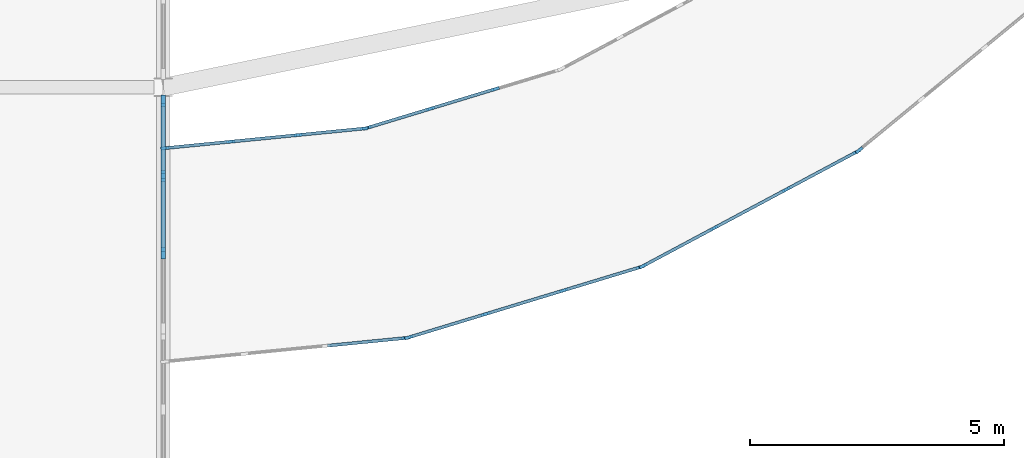
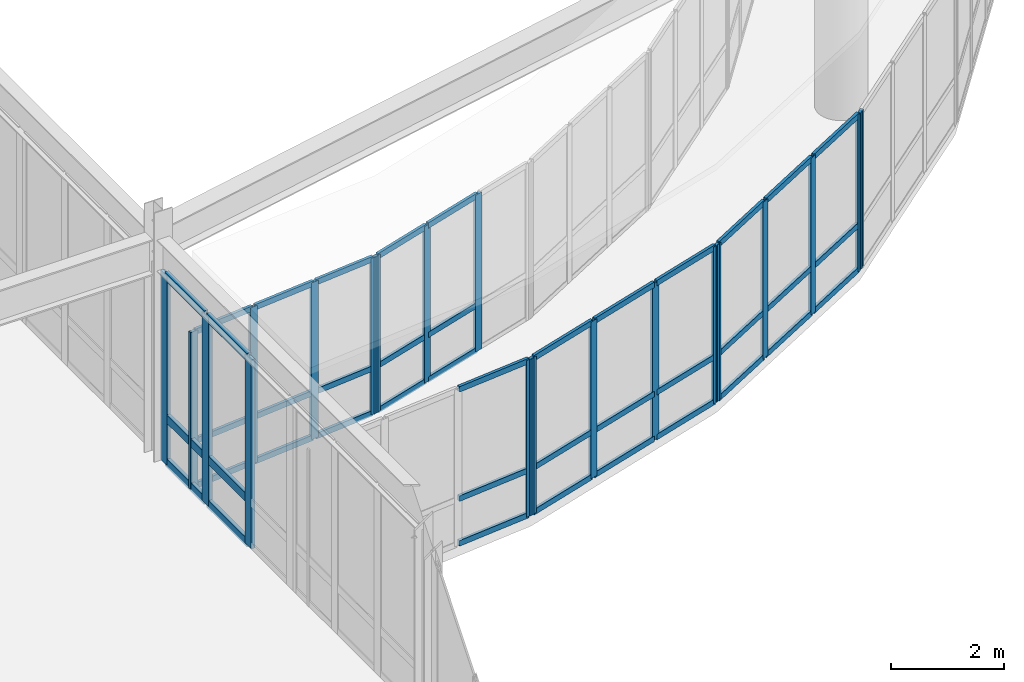
# One storey, part 17 of 68: 62 members, 7 elements without a shape of their own.
"""IFC4 building model written with IfcOpenShell, lengths in metres."""

from ifc_helpers import new_model, si_unit, direction, frame, origin, origin_2d, place, context, subcontext, project, spatial, rectangle, extrude, material, material_profile, profile_set, type_object, element, aggregate, save


model = new_model("IFC4")

# Units and contexts
model_context = context("Model", 3, precision=1e-05, world=origin(), true_north=direction((0.0, 1.0)))
body_context = subcontext(model_context, "Body", "Model", "MODEL_VIEW")
ifc_project = project(units=[si_unit("LENGTHUNIT", "METRE"), si_unit("AREAUNIT", "SQUARE_METRE"), si_unit("VOLUMEUNIT", "CUBIC_METRE"), si_unit("PLANEANGLEUNIT", "RADIAN"), si_unit("MASSUNIT", "GRAM", prefix="KILO")], contexts=[model_context])

# Site, building, storey
site_placement = place(None, origin())
site = spatial("IfcSite", under=ifc_project, at=site_placement, CompositionType="ELEMENT")
building_placement = place(site_placement, origin())
building = spatial("IfcBuilding", under=site, at=building_placement, Name="Veldera Park Congress Hotel", CompositionType="ELEMENT")
storey_placement = place(building_placement, frame((0.0, 0.0, 10.800048828125)))
storey = spatial("IfcBuildingStorey", under=building, at=storey_placement, Name="L02", CompositionType="ELEMENT", Elevation=10.800048828125)

# Curtain wall, member
ifc_material_1 = material(Name="Low-E Triple Insulating Glass Unit (SHGC 0.22)", Category="glass")
curtain_wall_type_1 = type_object("IfcCurtainWallType", Name="CW-BRG", PredefinedType="NOTDEFINED", material=ifc_material_1)
curtain_wall_1_placement = place(storey_placement, origin())
curtain_wall_1 = element("IfcCurtainWall", 1, at=curtain_wall_1_placement, inside=storey, type_object=curtain_wall_type_1, Name="L02 Curtain Wall CW3-BRGW-L02-A00", PredefinedType="NOTDEFINED")
ifc_material_2 = material(Name="Anodised Aluminium Alloy 6063-T6", Category="aluminium")
ifc_material_profile_1 = material_profile(ifc_material_2, rectangle(XDim=0.06005859375, YDim=0.159912109375, at=origin_2d()), Name="ALU 60x160")
ifc_profile_set_1 = profile_set([ifc_material_profile_1], Name="Anodised Aluminium Alloy 6063-T6")
member_type_1 = type_object("IfcMemberType", Name="CWM-160", PredefinedType="MULLION", material=ifc_profile_set_1)
member_1_placement = place(storey_placement, frame((3.16943359375, -6.730224609375, 0.0), z_axis=(0.0, 0.0, 1.0), x_axis=(-0.098021259481, 0.995184320963, 0.0)))
member_1 = element("IfcMember", 2, at=member_1_placement, type_object=member_type_1, Name="CW-BRG mullion 4", PredefinedType="MULLION", context=body_context, shape_type="SweptSolid", body=[
    extrude(rectangle(XDim=0.06005859375, YDim=0.159912109375, at=origin_2d()), origin(), (0.0, 0.0, 1.0), 3.39990234375),
])

# Curtain wall, members
curtain_wall_2_placement = place(storey_placement, origin())
curtain_wall_2 = element("IfcCurtainWall", 3, at=curtain_wall_2_placement, inside=storey, type_object=curtain_wall_type_1, Name="L02 Curtain Wall CW3-BRGW-L02-A01", PredefinedType="NOTDEFINED")
member_2_placement = place(storey_placement, frame((3.22802734375, -6.718505859375, 0.0), z_axis=(0.0, 0.0, 1.0), x_axis=(-0.290287663177, 0.956939429957, 0.0)))
member_2 = element("IfcMember", 4, at=member_2_placement, type_object=member_type_1, Name="CW-BRG mullion 1", PredefinedType="MULLION", context=body_context, shape_type="SweptSolid", body=[
    extrude(rectangle(XDim=0.06005859375, YDim=0.159912109375, at=origin_2d()), origin(), (0.0, 0.0, 1.0), 3.39990234375),
])
member_3_placement = place(storey_placement, frame((4.737548828125, -6.2607421875, 0.0), z_axis=(0.0, 0.0, 1.0), x_axis=(-0.290287663177, 0.956939429957, 0.0)))
member_3 = element("IfcMember", 5, at=member_3_placement, type_object=member_type_1, Name="CW-BRG mullion 2", PredefinedType="MULLION", context=body_context, shape_type="SweptSolid", body=[
    extrude(rectangle(XDim=0.06005859375, YDim=0.159912109375, at=origin_2d()), origin(), (0.0, 0.0, 1.0), 3.39990234375),
])
member_4_placement = place(storey_placement, frame((6.275634765625, -5.7939453125, 0.0), z_axis=(0.0, 0.0, 1.0), x_axis=(-0.290287663177, 0.956939429957, 0.0)))
member_4 = element("IfcMember", 6, at=member_4_placement, type_object=member_type_1, Name="CW-BRG mullion 3", PredefinedType="MULLION", context=body_context, shape_type="SweptSolid", body=[
    extrude(rectangle(XDim=0.06005859375, YDim=0.159912109375, at=origin_2d()), origin(), (0.0, 0.0, 1.0), 3.39990234375),
])
member_5_placement = place(storey_placement, frame((7.785400390625, -5.336181640625, 0.0), z_axis=(0.0, 0.0, 1.0), x_axis=(-0.290287663177, 0.956939429957, 0.0)))
member_5 = element("IfcMember", 7, at=member_5_placement, type_object=member_type_1, Name="CW-BRG mullion 4", PredefinedType="MULLION", context=body_context, shape_type="SweptSolid", body=[
    extrude(rectangle(XDim=0.06005859375, YDim=0.159912109375, at=origin_2d()), origin(), (0.0, 0.0, 1.0), 3.39990234375),
])

curtain_wall_3_placement = place(storey_placement, origin())
curtain_wall_3 = element("IfcCurtainWall", 8, at=curtain_wall_3_placement, inside=storey, type_object=curtain_wall_type_1, Name="L02 Curtain Wall CW3-BRGW-L02-A02", PredefinedType="NOTDEFINED")
member_6_placement = place(storey_placement, frame((7.840576171875, -5.313232421875, 0.0), z_axis=(0.0, 0.0, 1.0), x_axis=(-0.471384501415, 0.881927804203, 0.0)))
member_6 = element("IfcMember", 9, at=member_6_placement, type_object=member_type_1, Name="CW-BRG mullion 1", PredefinedType="MULLION", context=body_context, shape_type="SweptSolid", body=[
    extrude(rectangle(XDim=0.06005859375, YDim=0.159912109375, at=origin_2d()), origin(), (0.0, 0.0, 1.0), 3.39990234375),
])
member_7_placement = place(storey_placement, frame((9.231689453125, -4.569580078125, 0.0), z_axis=(0.0, 0.0, 1.0), x_axis=(-0.471384501415, 0.881927804203, 0.0)))
member_7 = element("IfcMember", 10, at=member_7_placement, type_object=member_type_1, Name="CW-BRG mullion 2", PredefinedType="MULLION", context=body_context, shape_type="SweptSolid", body=[
    extrude(rectangle(XDim=0.06005859375, YDim=0.159912109375, at=origin_2d()), origin(), (0.0, 0.0, 1.0), 3.39990234375),
])
member_8_placement = place(storey_placement, frame((10.6494140625, -3.81201171875, 0.0), z_axis=(0.0, 0.0, 1.0), x_axis=(-0.471384501415, 0.881927804203, 0.0)))
member_8 = element("IfcMember", 11, at=member_8_placement, type_object=member_type_1, Name="CW-BRG mullion 3", PredefinedType="MULLION", context=body_context, shape_type="SweptSolid", body=[
    extrude(rectangle(XDim=0.06005859375, YDim=0.159912109375, at=origin_2d()), origin(), (0.0, 0.0, 1.0), 3.39990234375),
])
member_9_placement = place(storey_placement, frame((12.04052734375, -3.068359375, 0.0), z_axis=(0.0, 0.0, 1.0), x_axis=(-0.471384501415, 0.881927804203, 0.0)))
member_9 = element("IfcMember", 12, at=member_9_placement, type_object=member_type_1, Name="CW-BRG mullion 4", PredefinedType="MULLION", context=body_context, shape_type="SweptSolid", body=[
    extrude(rectangle(XDim=0.06005859375, YDim=0.159912109375, at=origin_2d()), origin(), (0.0, 0.0, 1.0), 3.39990234375),
])

# Curtain wall, member
curtain_wall_4_placement = place(storey_placement, origin())
curtain_wall_4 = element("IfcCurtainWall", 13, at=curtain_wall_4_placement, inside=storey, type_object=curtain_wall_type_1, Name="L02 Curtain Wall CW3-BRGW-L02-A03", PredefinedType="NOTDEFINED")
member_10_placement = place(storey_placement, frame((12.090087890625, -3.03515625, 0.0), z_axis=(0.0, 0.0, 1.0), x_axis=(-0.634402404183, 0.773002968666, 0.0)))
member_10 = element("IfcMember", 14, at=member_10_placement, type_object=member_type_1, Name="CW-BRG mullion 1", PredefinedType="MULLION", context=body_context, shape_type="SweptSolid", body=[
    extrude(rectangle(XDim=0.06005859375, YDim=0.159912109375, at=origin_2d()), origin(), (0.0, 0.0, 1.0), 3.39990234375),
])
aggregate(curtain_wall_4, [member_10])

# Curtain wall, members
curtain_wall_5_placement = place(storey_placement, origin())
curtain_wall_5 = element("IfcCurtainWall", 15, at=curtain_wall_5_placement, inside=storey, type_object=curtain_wall_type_1, Name="L02 Curtain Wall CW3-BRGW-L02-B15", PredefinedType="NOTDEFINED")
member_11_placement = place(storey_placement, frame((4.93115234375, -1.833984375, 0.0), z_axis=(0.0, 0.0, 1.0), x_axis=(0.290289846929, -0.956938767513, 0.0)))
member_11 = element("IfcMember", 16, at=member_11_placement, type_object=member_type_1, Name="CW-BRG mullion 2", PredefinedType="MULLION", context=body_context, shape_type="SweptSolid", body=[
    extrude(rectangle(XDim=0.06005859375, YDim=0.159912109375, at=origin_2d()), origin(), (0.0, 0.0, 1.0), 3.39990234375),
])
member_12_placement = place(storey_placement, frame((3.655517578125, -2.220947265625, 0.0), z_axis=(0.0, 0.0, 1.0), x_axis=(0.290289846929, -0.956938767513, 0.0)))
member_12 = element("IfcMember", 17, at=member_12_placement, type_object=member_type_1, Name="CW-BRG mullion 3", PredefinedType="MULLION", context=body_context, shape_type="SweptSolid", body=[
    extrude(rectangle(XDim=0.06005859375, YDim=0.159912109375, at=origin_2d()), origin(), (0.0, 0.0, 1.0), 3.39990234375),
])
member_13_placement = place(storey_placement, frame((2.408447265625, -2.599365234375, 0.0), z_axis=(0.0, 0.0, 1.0), x_axis=(0.290289846929, -0.956938767513, 0.0)))
member_13 = element("IfcMember", 18, at=member_13_placement, type_object=member_type_1, Name="CW-BRG mullion 4", PredefinedType="MULLION", context=body_context, shape_type="SweptSolid", body=[
    extrude(rectangle(XDim=0.06005859375, YDim=0.159912109375, at=origin_2d()), origin(), (0.0, 0.0, 1.0), 3.39990234375),
])

curtain_wall_6_placement = place(storey_placement, origin())
curtain_wall_6 = element("IfcCurtainWall", 19, at=curtain_wall_6_placement, inside=storey, type_object=curtain_wall_type_1, Name="L02 Curtain Wall CW3-BRGW-L02-B16", PredefinedType="NOTDEFINED")
member_14_placement = place(storey_placement, frame((2.349853515625, -2.61083984375, 0.0), z_axis=(0.0, 0.0, 1.0), x_axis=(0.098023062513, -0.99518414337, 0.0)))
member_14 = element("IfcMember", 20, at=member_14_placement, type_object=member_type_1, Name="CW-BRG mullion 1", PredefinedType="MULLION", context=body_context, shape_type="SweptSolid", body=[
    extrude(rectangle(XDim=0.06005859375, YDim=0.159912109375, at=origin_2d()), origin(), (0.0, 0.0, 1.0), 3.39990234375),
])
member_15_placement = place(storey_placement, frame((1.05322265625, -2.73876953125, 0.0), z_axis=(0.0, 0.0, 1.0), x_axis=(0.098023062513, -0.99518414337, 0.0)))
member_15 = element("IfcMember", 21, at=member_15_placement, type_object=member_type_1, Name="CW-BRG mullion 2", PredefinedType="MULLION", context=body_context, shape_type="SweptSolid", body=[
    extrude(rectangle(XDim=0.06005859375, YDim=0.159912109375, at=origin_2d()), origin(), (0.0, 0.0, 1.0), 3.39990234375),
])
member_16_placement = place(storey_placement, frame((-0.2734375, -2.869384765625, 0.0), z_axis=(0.0, 0.0, 1.0), x_axis=(0.098023062513, -0.99518414337, 0.0)))
member_16 = element("IfcMember", 22, at=member_16_placement, type_object=member_type_1, Name="CW-BRG mullion 3", PredefinedType="MULLION", context=body_context, shape_type="SweptSolid", body=[
    extrude(rectangle(XDim=0.06005859375, YDim=0.159912109375, at=origin_2d()), origin(), (0.0, 0.0, 1.0), 3.39990234375),
])
member_17_placement = place(storey_placement, frame((-1.570068359375, -2.9970703125, 0.0), z_axis=(0.0, 0.0, 1.0), x_axis=(0.098023062513, -0.99518414337, 0.0)))
member_17 = element("IfcMember", 23, at=member_17_placement, type_object=member_type_1, Name="CW-BRG mullion 4", PredefinedType="MULLION", context=body_context, shape_type="SweptSolid", body=[
    extrude(rectangle(XDim=0.06005859375, YDim=0.159912109375, at=origin_2d()), origin(), (0.0, 0.0, 1.0), 3.39990234375),
])

curtain_wall_type_2 = type_object("IfcCurtainWallType", Name="CW-POD", PredefinedType="NOTDEFINED", material=ifc_material_1)
curtain_wall_7_placement = place(storey_placement, origin())
curtain_wall_7 = element("IfcCurtainWall", 24, at=curtain_wall_7_placement, inside=storey, type_object=curtain_wall_type_2, Name="L02 Curtain Wall CW3-V1E-L02-068", PredefinedType="NOTDEFINED")
ifc_material_profile_2 = material_profile(ifc_material_2, rectangle(XDim=0.080078125, YDim=0.219970703125, at=origin_2d()), Name="ALU 80x220")
ifc_profile_set_2 = profile_set([ifc_material_profile_2], Name="Anodised Aluminium Alloy 6063-T6")
member_type_2 = type_object("IfcMemberType", Name="CWM-220", PredefinedType="MULLION", material=ifc_profile_set_2)
member_18_placement = place(storey_placement, frame((-1.60009765625, -5.064697265625, 0.0), z_axis=(0.0, 0.0, 1.0), x_axis=(-1.0, 0.0, 0.0)))
member_18 = element("IfcMember", 25, at=member_18_placement, type_object=member_type_2, Name="CW-POD mullion 2", PredefinedType="MULLION", context=body_context, shape_type="SweptSolid", body=[
    extrude(rectangle(XDim=0.080078125, YDim=0.219970703125, at=origin_2d()), origin(), (0.0, 0.0, 1.0), 4.10205078125),
])
member_19_placement = place(storey_placement, frame((-1.60009765625, -3.54443359375, 0.0), z_axis=(0.0, 0.0, 1.0), x_axis=(-1.0, 0.0, 0.0)))
member_19 = element("IfcMember", 26, at=member_19_placement, type_object=member_type_2, Name="CW-POD mullion 3", PredefinedType="MULLION", context=body_context, shape_type="SweptSolid", body=[
    extrude(rectangle(XDim=0.080078125, YDim=0.219970703125, at=origin_2d()), origin(), (0.0, 0.0, 1.0), 4.10205078125),
])
member_20_placement = place(storey_placement, frame((-1.60009765625, -2.06396484375, 0.0), z_axis=(0.0, 0.0, 1.0), x_axis=(-1.0, 0.0, 0.0)))
member_20 = element("IfcMember", 27, at=member_20_placement, type_object=member_type_2, Name="CW-POD mullion 4", PredefinedType="MULLION", context=body_context, shape_type="SweptSolid", body=[
    extrude(rectangle(XDim=0.080078125, YDim=0.219970703125, at=origin_2d()), origin(), (0.0, 0.0, 1.0), 4.10205078125),
])

# Member
ifc_material_profile_3 = material_profile(ifc_material_2, rectangle(XDim=0.06005859375, YDim=0.1201171875, at=origin_2d()), Name="ALU 60x120")
ifc_profile_set_3 = profile_set([ifc_material_profile_3], Name="Anodised Aluminium Alloy 6063-T6")
member_type_3 = type_object("IfcMemberType", Name="CWT-120", PredefinedType="USERDEFINED", material=ifc_profile_set_3)
member_21_placement = place(storey_placement, frame((1.62939453125, -6.8818359375, 0.030029296875), z_axis=(0.995187383996, 0.097990156322, 0.0), x_axis=(-0.097990156322, 0.995187383996, 0.0)))
member_21 = element("IfcMember", 28, at=member_21_placement, type_object=member_type_3, Name="CW-BRG transom 3.1", ObjectType="TRANSOM", PredefinedType="USERDEFINED", context=body_context, shape_type="SweptSolid", body=[
    extrude(rectangle(XDim=0.06005859375, YDim=0.1201171875, at=origin_2d()), origin(), (0.0, 0.0, 1.0), 1.517333984375),
])

member_22_placement = place(storey_placement, frame((1.62939453125, -6.8818359375, 1.0), z_axis=(0.995187383996, 0.097990156322, 0.0), x_axis=(-0.097990156322, 0.995187383996, 0.0)))
member_22 = element("IfcMember", 29, at=member_22_placement, type_object=member_type_3, Name="CW-BRG transom 3.2", ObjectType="TRANSOM", PredefinedType="USERDEFINED", context=body_context, shape_type="SweptSolid", body=[
    extrude(rectangle(XDim=0.06005859375, YDim=0.1201171875, at=origin_2d()), origin(), (0.0, 0.0, 1.0), 1.517333984375),
])

member_23_placement = place(storey_placement, frame((1.62939453125, -6.8818359375, 3.369873046875), z_axis=(0.995187383996, 0.097990156322, 0.0), x_axis=(-0.097990156322, 0.995187383996, 0.0)))
member_23 = element("IfcMember", 30, at=member_23_placement, type_object=member_type_3, Name="CW-BRG transom 3.3", ObjectType="TRANSOM", PredefinedType="USERDEFINED", context=body_context, shape_type="SweptSolid", body=[
    extrude(rectangle(XDim=0.06005859375, YDim=0.1201171875, at=origin_2d()), origin(), (0.0, 0.0, 1.0), 1.517333984375),
])

aggregate(curtain_wall_1, [member_1, member_21, member_22, member_23])

member_24_placement = place(storey_placement, frame((3.256591796875, -6.7099609375, 0.030029296875), z_axis=(0.956909318834, 0.290386906607, 0.0), x_axis=(-0.290386906607, 0.956909318834, 0.0)))
member_24 = element("IfcMember", 31, at=member_24_placement, type_object=member_type_3, Name="CW-BRG transom 1.1", ObjectType="TRANSOM", PredefinedType="USERDEFINED", context=body_context, shape_type="SweptSolid", body=[
    extrude(rectangle(XDim=0.06005859375, YDim=0.1201171875, at=origin_2d()), origin(), (0.0, 0.0, 1.0), 1.517578125),
])

member_25_placement = place(storey_placement, frame((3.256591796875, -6.7099609375, 1.0), z_axis=(0.956909318834, 0.290386906607, 0.0), x_axis=(-0.290386906607, 0.956909318834, 0.0)))
member_25 = element("IfcMember", 32, at=member_25_placement, type_object=member_type_3, Name="CW-BRG transom 1.2", ObjectType="TRANSOM", PredefinedType="USERDEFINED", context=body_context, shape_type="SweptSolid", body=[
    extrude(rectangle(XDim=0.06005859375, YDim=0.1201171875, at=origin_2d()), origin(), (0.0, 0.0, 1.0), 1.517578125),
])

member_26_placement = place(storey_placement, frame((3.256591796875, -6.7099609375, 3.369873046875), z_axis=(0.956909318834, 0.290386906607, 0.0), x_axis=(-0.290386906607, 0.956909318834, 0.0)))
member_26 = element("IfcMember", 33, at=member_26_placement, type_object=member_type_3, Name="CW-BRG transom 1.3", ObjectType="TRANSOM", PredefinedType="USERDEFINED", context=body_context, shape_type="SweptSolid", body=[
    extrude(rectangle(XDim=0.06005859375, YDim=0.1201171875, at=origin_2d()), origin(), (0.0, 0.0, 1.0), 1.517578125),
])

member_27_placement = place(storey_placement, frame((4.76611328125, -6.251953125, 0.030029296875), z_axis=(0.9569447609, 0.29027008903, 0.0), x_axis=(-0.29027008903, 0.9569447609, 0.0)))
member_27 = element("IfcMember", 34, at=member_27_placement, type_object=member_type_3, Name="CW-BRG transom 2.1", ObjectType="TRANSOM", PredefinedType="USERDEFINED", context=body_context, shape_type="SweptSolid", body=[
    extrude(rectangle(XDim=0.06005859375, YDim=0.1201171875, at=origin_2d()), origin(), (0.0, 0.0, 1.0), 1.547607421875),
])

member_28_placement = place(storey_placement, frame((4.76611328125, -6.251953125, 1.0), z_axis=(0.9569447609, 0.29027008903, 0.0), x_axis=(-0.29027008903, 0.9569447609, 0.0)))
member_28 = element("IfcMember", 35, at=member_28_placement, type_object=member_type_3, Name="CW-BRG transom 2.2", ObjectType="TRANSOM", PredefinedType="USERDEFINED", context=body_context, shape_type="SweptSolid", body=[
    extrude(rectangle(XDim=0.06005859375, YDim=0.1201171875, at=origin_2d()), origin(), (0.0, 0.0, 1.0), 1.547607421875),
])

member_29_placement = place(storey_placement, frame((4.76611328125, -6.251953125, 3.369873046875), z_axis=(0.9569447609, 0.29027008903, 0.0), x_axis=(-0.29027008903, 0.9569447609, 0.0)))
member_29 = element("IfcMember", 36, at=member_29_placement, type_object=member_type_3, Name="CW-BRG transom 2.3", ObjectType="TRANSOM", PredefinedType="USERDEFINED", context=body_context, shape_type="SweptSolid", body=[
    extrude(rectangle(XDim=0.06005859375, YDim=0.1201171875, at=origin_2d()), origin(), (0.0, 0.0, 1.0), 1.547607421875),
])

member_30_placement = place(storey_placement, frame((6.304443359375, -5.785400390625, 0.030029296875), z_axis=(0.956909318834, 0.290386906607, 0.0), x_axis=(-0.290386906607, 0.956909318834, 0.0)))
member_30 = element("IfcMember", 37, at=member_30_placement, type_object=member_type_3, Name="CW-BRG transom 3.1", ObjectType="TRANSOM", PredefinedType="USERDEFINED", context=body_context, shape_type="SweptSolid", body=[
    extrude(rectangle(XDim=0.06005859375, YDim=0.1201171875, at=origin_2d()), origin(), (0.0, 0.0, 1.0), 1.517578125),
])

member_31_placement = place(storey_placement, frame((6.304443359375, -5.785400390625, 1.0), z_axis=(0.956909318834, 0.290386906607, 0.0), x_axis=(-0.290386906607, 0.956909318834, 0.0)))
member_31 = element("IfcMember", 38, at=member_31_placement, type_object=member_type_3, Name="CW-BRG transom 3.2", ObjectType="TRANSOM", PredefinedType="USERDEFINED", context=body_context, shape_type="SweptSolid", body=[
    extrude(rectangle(XDim=0.06005859375, YDim=0.1201171875, at=origin_2d()), origin(), (0.0, 0.0, 1.0), 1.517578125),
])

member_32_placement = place(storey_placement, frame((6.304443359375, -5.785400390625, 3.369873046875), z_axis=(0.956909318834, 0.290386906607, 0.0), x_axis=(-0.290386906607, 0.956909318834, 0.0)))
member_32 = element("IfcMember", 39, at=member_32_placement, type_object=member_type_3, Name="CW-BRG transom 3.3", ObjectType="TRANSOM", PredefinedType="USERDEFINED", context=body_context, shape_type="SweptSolid", body=[
    extrude(rectangle(XDim=0.06005859375, YDim=0.1201171875, at=origin_2d()), origin(), (0.0, 0.0, 1.0), 1.517578125),
])

aggregate(curtain_wall_2, [member_2, member_3, member_4, member_5, member_24, member_25, member_26, member_27, member_28, member_29, member_30, member_31, member_32])

member_33_placement = place(storey_placement, frame((7.866943359375, -5.299072265625, 0.030029296875), z_axis=(0.881933974892, 0.4713729563, 0.0), x_axis=(-0.4713729563, 0.881933974892, 0.0)))
member_33 = element("IfcMember", 40, at=member_33_placement, type_object=member_type_3, Name="CW-BRG transom 1.1", ObjectType="TRANSOM", PredefinedType="USERDEFINED", context=body_context, shape_type="SweptSolid", body=[
    extrude(rectangle(XDim=0.06005859375, YDim=0.1201171875, at=origin_2d()), origin(), (0.0, 0.0, 1.0), 1.517578125),
])

member_34_placement = place(storey_placement, frame((7.866943359375, -5.299072265625, 1.0), z_axis=(0.881933974892, 0.4713729563, 0.0), x_axis=(-0.4713729563, 0.881933974892, 0.0)))
member_34 = element("IfcMember", 41, at=member_34_placement, type_object=member_type_3, Name="CW-BRG transom 1.2", ObjectType="TRANSOM", PredefinedType="USERDEFINED", context=body_context, shape_type="SweptSolid", body=[
    extrude(rectangle(XDim=0.06005859375, YDim=0.1201171875, at=origin_2d()), origin(), (0.0, 0.0, 1.0), 1.517578125),
])

member_35_placement = place(storey_placement, frame((7.866943359375, -5.299072265625, 3.369873046875), z_axis=(0.881933974892, 0.4713729563, 0.0), x_axis=(-0.4713729563, 0.881933974892, 0.0)))
member_35 = element("IfcMember", 42, at=member_35_placement, type_object=member_type_3, Name="CW-BRG transom 1.3", ObjectType="TRANSOM", PredefinedType="USERDEFINED", context=body_context, shape_type="SweptSolid", body=[
    extrude(rectangle(XDim=0.06005859375, YDim=0.1201171875, at=origin_2d()), origin(), (0.0, 0.0, 1.0), 1.517578125),
])

member_36_placement = place(storey_placement, frame((9.258056640625, -4.555419921875, 0.030029296875), z_axis=(0.881981423245, 0.471284170167, 0.0), x_axis=(-0.471284170167, 0.881981423245, 0.0)))
member_36 = element("IfcMember", 43, at=member_36_placement, type_object=member_type_3, Name="CW-BRG transom 2.1", ObjectType="TRANSOM", PredefinedType="USERDEFINED", context=body_context, shape_type="SweptSolid", body=[
    extrude(rectangle(XDim=0.06005859375, YDim=0.1201171875, at=origin_2d()), origin(), (0.0, 0.0, 1.0), 1.54736328125),
])

member_37_placement = place(storey_placement, frame((9.258056640625, -4.555419921875, 1.0), z_axis=(0.881981423245, 0.471284170167, 0.0), x_axis=(-0.471284170167, 0.881981423245, 0.0)))
member_37 = element("IfcMember", 44, at=member_37_placement, type_object=member_type_3, Name="CW-BRG transom 2.2", ObjectType="TRANSOM", PredefinedType="USERDEFINED", context=body_context, shape_type="SweptSolid", body=[
    extrude(rectangle(XDim=0.06005859375, YDim=0.1201171875, at=origin_2d()), origin(), (0.0, 0.0, 1.0), 1.54736328125),
])

member_38_placement = place(storey_placement, frame((9.258056640625, -4.555419921875, 3.369873046875), z_axis=(0.881981423245, 0.471284170167, 0.0), x_axis=(-0.471284170167, 0.881981423245, 0.0)))
member_38 = element("IfcMember", 45, at=member_38_placement, type_object=member_type_3, Name="CW-BRG transom 2.3", ObjectType="TRANSOM", PredefinedType="USERDEFINED", context=body_context, shape_type="SweptSolid", body=[
    extrude(rectangle(XDim=0.06005859375, YDim=0.1201171875, at=origin_2d()), origin(), (0.0, 0.0, 1.0), 1.54736328125),
])

member_39_placement = place(storey_placement, frame((10.67578125, -3.7978515625, 0.030029296875), z_axis=(0.881933974892, 0.4713729563, 0.0), x_axis=(-0.4713729563, 0.881933974892, 0.0)))
member_39 = element("IfcMember", 46, at=member_39_placement, type_object=member_type_3, Name="CW-BRG transom 3.1", ObjectType="TRANSOM", PredefinedType="USERDEFINED", context=body_context, shape_type="SweptSolid", body=[
    extrude(rectangle(XDim=0.06005859375, YDim=0.1201171875, at=origin_2d()), origin(), (0.0, 0.0, 1.0), 1.517578125),
])

member_40_placement = place(storey_placement, frame((10.67578125, -3.7978515625, 1.0), z_axis=(0.881933974892, 0.4713729563, 0.0), x_axis=(-0.4713729563, 0.881933974892, 0.0)))
member_40 = element("IfcMember", 47, at=member_40_placement, type_object=member_type_3, Name="CW-BRG transom 3.2", ObjectType="TRANSOM", PredefinedType="USERDEFINED", context=body_context, shape_type="SweptSolid", body=[
    extrude(rectangle(XDim=0.06005859375, YDim=0.1201171875, at=origin_2d()), origin(), (0.0, 0.0, 1.0), 1.517578125),
])

member_41_placement = place(storey_placement, frame((10.67578125, -3.7978515625, 3.369873046875), z_axis=(0.881933974892, 0.4713729563, 0.0), x_axis=(-0.4713729563, 0.881933974892, 0.0)))
member_41 = element("IfcMember", 48, at=member_41_placement, type_object=member_type_3, Name="CW-BRG transom 3.3", ObjectType="TRANSOM", PredefinedType="USERDEFINED", context=body_context, shape_type="SweptSolid", body=[
    extrude(rectangle(XDim=0.06005859375, YDim=0.1201171875, at=origin_2d()), origin(), (0.0, 0.0, 1.0), 1.517578125),
])

aggregate(curtain_wall_3, [member_6, member_7, member_8, member_9, member_33, member_34, member_35, member_36, member_37, member_38, member_39, member_40, member_41])

member_42_placement = place(storey_placement, frame((4.90234375, -1.8427734375, 0.030029296875), z_axis=(-0.956924350559, -0.290337368086, 0.0), x_axis=(0.290337368086, -0.956924350559, 0.0)))
member_42 = element("IfcMember", 49, at=member_42_placement, type_object=member_type_3, Name="CW-BRG transom 2.1", ObjectType="TRANSOM", PredefinedType="USERDEFINED", context=body_context, shape_type="SweptSolid", body=[
    extrude(rectangle(XDim=0.06005859375, YDim=0.1201171875, at=origin_2d()), origin(), (0.0, 0.0, 1.0), 1.273193359375),
])

member_43_placement = place(storey_placement, frame((4.90234375, -1.8427734375, 1.0), z_axis=(-0.956924350559, -0.290337368086, 0.0), x_axis=(0.290337368086, -0.956924350559, 0.0)))
member_43 = element("IfcMember", 50, at=member_43_placement, type_object=member_type_3, Name="CW-BRG transom 2.2", ObjectType="TRANSOM", PredefinedType="USERDEFINED", context=body_context, shape_type="SweptSolid", body=[
    extrude(rectangle(XDim=0.06005859375, YDim=0.1201171875, at=origin_2d()), origin(), (0.0, 0.0, 1.0), 1.273193359375),
])

member_44_placement = place(storey_placement, frame((4.90234375, -1.8427734375, 3.369873046875), z_axis=(-0.956924350559, -0.290337368086, 0.0), x_axis=(0.290337368086, -0.956924350559, 0.0)))
member_44 = element("IfcMember", 51, at=member_44_placement, type_object=member_type_3, Name="CW-BRG transom 2.3", ObjectType="TRANSOM", PredefinedType="USERDEFINED", context=body_context, shape_type="SweptSolid", body=[
    extrude(rectangle(XDim=0.06005859375, YDim=0.1201171875, at=origin_2d()), origin(), (0.0, 0.0, 1.0), 1.273193359375),
])

member_45_placement = place(storey_placement, frame((3.626708984375, -2.229736328125, 0.030029296875), z_axis=(-0.956935154583, -0.290301756665, 0.0), x_axis=(0.290301756665, -0.956935154583, 0.0)))
member_45 = element("IfcMember", 52, at=member_45_placement, type_object=member_type_3, Name="CW-BRG transom 3.1", ObjectType="TRANSOM", PredefinedType="USERDEFINED", context=body_context, shape_type="SweptSolid", body=[
    extrude(rectangle(XDim=0.06005859375, YDim=0.1201171875, at=origin_2d()), origin(), (0.0, 0.0, 1.0), 1.242919921875),
])

member_46_placement = place(storey_placement, frame((3.626708984375, -2.229736328125, 1.0), z_axis=(-0.956935154583, -0.290301756665, 0.0), x_axis=(0.290301756665, -0.956935154583, 0.0)))
member_46 = element("IfcMember", 53, at=member_46_placement, type_object=member_type_3, Name="CW-BRG transom 3.2", ObjectType="TRANSOM", PredefinedType="USERDEFINED", context=body_context, shape_type="SweptSolid", body=[
    extrude(rectangle(XDim=0.06005859375, YDim=0.1201171875, at=origin_2d()), origin(), (0.0, 0.0, 1.0), 1.242919921875),
])

member_47_placement = place(storey_placement, frame((3.626708984375, -2.229736328125, 3.369873046875), z_axis=(-0.956935154583, -0.290301756665, 0.0), x_axis=(0.290301756665, -0.956935154583, 0.0)))
member_47 = element("IfcMember", 54, at=member_47_placement, type_object=member_type_3, Name="CW-BRG transom 3.3", ObjectType="TRANSOM", PredefinedType="USERDEFINED", context=body_context, shape_type="SweptSolid", body=[
    extrude(rectangle(XDim=0.06005859375, YDim=0.1201171875, at=origin_2d()), origin(), (0.0, 0.0, 1.0), 1.242919921875),
])

aggregate(curtain_wall_5, [member_11, member_12, member_13, member_42, member_43, member_44, member_45, member_46, member_47])

member_48_placement = place(storey_placement, frame((2.320068359375, -2.61376953125, 0.030029296875), z_axis=(-0.995166623425, -0.098200771998, 0.0), x_axis=(0.098200771998, -0.995166623425, 0.0)))
member_48 = element("IfcMember", 55, at=member_48_placement, type_object=member_type_3, Name="CW-BRG transom 1.1", ObjectType="TRANSOM", PredefinedType="USERDEFINED", context=body_context, shape_type="SweptSolid", body=[
    extrude(rectangle(XDim=0.06005859375, YDim=0.1201171875, at=origin_2d()), origin(), (0.0, 0.0, 1.0), 1.2431640625),
])

member_49_placement = place(storey_placement, frame((2.320068359375, -2.61376953125, 1.0), z_axis=(-0.995166623425, -0.098200771998, 0.0), x_axis=(0.098200771998, -0.995166623425, 0.0)))
member_49 = element("IfcMember", 56, at=member_49_placement, type_object=member_type_3, Name="CW-BRG transom 1.2", ObjectType="TRANSOM", PredefinedType="USERDEFINED", context=body_context, shape_type="SweptSolid", body=[
    extrude(rectangle(XDim=0.06005859375, YDim=0.1201171875, at=origin_2d()), origin(), (0.0, 0.0, 1.0), 1.2431640625),
])

member_50_placement = place(storey_placement, frame((2.320068359375, -2.61376953125, 3.369873046875), z_axis=(-0.995166623425, -0.098200771998, 0.0), x_axis=(0.098200771998, -0.995166623425, 0.0)))
member_50 = element("IfcMember", 57, at=member_50_placement, type_object=member_type_3, Name="CW-BRG transom 1.3", ObjectType="TRANSOM", PredefinedType="USERDEFINED", context=body_context, shape_type="SweptSolid", body=[
    extrude(rectangle(XDim=0.06005859375, YDim=0.1201171875, at=origin_2d()), origin(), (0.0, 0.0, 1.0), 1.2431640625),
])

member_51_placement = place(storey_placement, frame((1.0234375, -2.74169921875, 0.030029296875), z_axis=(-0.995187913064, -0.097984782963, 0.0), x_axis=(0.097984782963, -0.995187913064, 0.0)))
member_51 = element("IfcMember", 58, at=member_51_placement, type_object=member_type_3, Name="CW-BRG transom 2.1", ObjectType="TRANSOM", PredefinedType="USERDEFINED", context=body_context, shape_type="SweptSolid", body=[
    extrude(rectangle(XDim=0.06005859375, YDim=0.1201171875, at=origin_2d()), origin(), (0.0, 0.0, 1.0), 1.273193359375),
])

member_52_placement = place(storey_placement, frame((1.0234375, -2.74169921875, 1.0), z_axis=(-0.995187913064, -0.097984782963, 0.0), x_axis=(0.097984782963, -0.995187913064, 0.0)))
member_52 = element("IfcMember", 59, at=member_52_placement, type_object=member_type_3, Name="CW-BRG transom 2.2", ObjectType="TRANSOM", PredefinedType="USERDEFINED", context=body_context, shape_type="SweptSolid", body=[
    extrude(rectangle(XDim=0.06005859375, YDim=0.1201171875, at=origin_2d()), origin(), (0.0, 0.0, 1.0), 1.273193359375),
])

member_53_placement = place(storey_placement, frame((1.0234375, -2.74169921875, 3.369873046875), z_axis=(-0.995187913064, -0.097984782963, 0.0), x_axis=(0.097984782963, -0.995187913064, 0.0)))
member_53 = element("IfcMember", 60, at=member_53_placement, type_object=member_type_3, Name="CW-BRG transom 2.3", ObjectType="TRANSOM", PredefinedType="USERDEFINED", context=body_context, shape_type="SweptSolid", body=[
    extrude(rectangle(XDim=0.06005859375, YDim=0.1201171875, at=origin_2d()), origin(), (0.0, 0.0, 1.0), 1.273193359375),
])

member_54_placement = place(storey_placement, frame((-0.30322265625, -2.872314453125, 0.030029296875), z_axis=(-0.995185798349, -0.098006258807, 0.0), x_axis=(0.098006258807, -0.995185798349, 0.0)))
member_54 = element("IfcMember", 61, at=member_54_placement, type_object=member_type_3, Name="CW-BRG transom 3.1", ObjectType="TRANSOM", PredefinedType="USERDEFINED", context=body_context, shape_type="SweptSolid", body=[
    extrude(rectangle(XDim=0.06005859375, YDim=0.1201171875, at=origin_2d()), origin(), (0.0, 0.0, 1.0), 1.2431640625),
])

member_55_placement = place(storey_placement, frame((-0.30322265625, -2.872314453125, 1.0), z_axis=(-0.995185798349, -0.098006258807, 0.0), x_axis=(0.098006258807, -0.995185798349, 0.0)))
member_55 = element("IfcMember", 62, at=member_55_placement, type_object=member_type_3, Name="CW-BRG transom 3.2", ObjectType="TRANSOM", PredefinedType="USERDEFINED", context=body_context, shape_type="SweptSolid", body=[
    extrude(rectangle(XDim=0.06005859375, YDim=0.1201171875, at=origin_2d()), origin(), (0.0, 0.0, 1.0), 1.2431640625),
])

member_56_placement = place(storey_placement, frame((-0.30322265625, -2.872314453125, 3.369873046875), z_axis=(-0.995185798349, -0.098006258807, 0.0), x_axis=(0.098006258807, -0.995185798349, 0.0)))
member_56 = element("IfcMember", 63, at=member_56_placement, type_object=member_type_3, Name="CW-BRG transom 3.3", ObjectType="TRANSOM", PredefinedType="USERDEFINED", context=body_context, shape_type="SweptSolid", body=[
    extrude(rectangle(XDim=0.06005859375, YDim=0.1201171875, at=origin_2d()), origin(), (0.0, 0.0, 1.0), 1.2431640625),
])

aggregate(curtain_wall_6, [member_14, member_15, member_16, member_17, member_48, member_49, member_50, member_51, member_52, member_53, member_54, member_55, member_56])

ifc_material_profile_4 = material_profile(ifc_material_2, rectangle(XDim=0.080078125, YDim=0.179931640625, at=origin_2d()), Name="ALU 80x180")
ifc_profile_set_4 = profile_set([ifc_material_profile_4], Name="Anodised Aluminium Alloy 6063-T6")
member_type_4 = type_object("IfcMemberType", Name="CWT-180", PredefinedType="USERDEFINED", material=ifc_profile_set_4)
member_57_placement = place(storey_placement, frame((-1.60009765625, -5.024658203125, 0.0400390625), z_axis=(0.0, 1.0, 0.0), x_axis=(-1.0, 0.0, 0.0)))
member_57 = element("IfcMember", 64, at=member_57_placement, type_object=member_type_4, Name="CW-POD transom 2.1", ObjectType="TRANSOM", PredefinedType="USERDEFINED", context=body_context, shape_type="SweptSolid", body=[
    extrude(rectangle(XDim=0.080078125, YDim=0.179931640625, at=origin_2d()), origin(), (0.0, 0.0, 1.0), 1.4404296875),
])

member_58_placement = place(storey_placement, frame((-1.60009765625, -5.024658203125, 1.0), z_axis=(0.0, 1.0, 0.0), x_axis=(-1.0, 0.0, 0.0)))
member_58 = element("IfcMember", 65, at=member_58_placement, type_object=member_type_4, Name="CW-POD transom 2.2", ObjectType="TRANSOM", PredefinedType="USERDEFINED", context=body_context, shape_type="SweptSolid", body=[
    extrude(rectangle(XDim=0.080078125, YDim=0.179931640625, at=origin_2d()), origin(), (0.0, 0.0, 1.0), 1.4404296875),
])

member_59_placement = place(storey_placement, frame((-1.60009765625, -5.024658203125, 4.06201171875), z_axis=(0.0, 1.0, 0.0), x_axis=(-1.0, 0.0, 0.0)))
member_59 = element("IfcMember", 66, at=member_59_placement, type_object=member_type_4, Name="CW-POD transom 2.3", ObjectType="TRANSOM", PredefinedType="USERDEFINED", context=body_context, shape_type="SweptSolid", body=[
    extrude(rectangle(XDim=0.080078125, YDim=0.179931640625, at=origin_2d()), origin(), (0.0, 0.0, 1.0), 1.4404296875),
])

member_60_placement = place(storey_placement, frame((-1.60009765625, -3.50439453125, 0.0400390625), z_axis=(0.0, 1.0, 0.0), x_axis=(-1.0, 0.0, 0.0)))
member_60 = element("IfcMember", 67, at=member_60_placement, type_object=member_type_4, Name="CW-POD transom 3.1", ObjectType="TRANSOM", PredefinedType="USERDEFINED", context=body_context, shape_type="SweptSolid", body=[
    extrude(rectangle(XDim=0.080078125, YDim=0.179931640625, at=origin_2d()), origin(), (0.0, 0.0, 1.0), 1.400390625),
])

member_61_placement = place(storey_placement, frame((-1.60009765625, -3.50439453125, 1.0), z_axis=(0.0, 1.0, 0.0), x_axis=(-1.0, 0.0, 0.0)))
member_61 = element("IfcMember", 68, at=member_61_placement, type_object=member_type_4, Name="CW-POD transom 3.2", ObjectType="TRANSOM", PredefinedType="USERDEFINED", context=body_context, shape_type="SweptSolid", body=[
    extrude(rectangle(XDim=0.080078125, YDim=0.179931640625, at=origin_2d()), origin(), (0.0, 0.0, 1.0), 1.400390625),
])

member_62_placement = place(storey_placement, frame((-1.60009765625, -3.50439453125, 4.06201171875), z_axis=(0.0, 1.0, 0.0), x_axis=(-1.0, 0.0, 0.0)))
member_62 = element("IfcMember", 69, at=member_62_placement, type_object=member_type_4, Name="CW-POD transom 3.3", ObjectType="TRANSOM", PredefinedType="USERDEFINED", context=body_context, shape_type="SweptSolid", body=[
    extrude(rectangle(XDim=0.080078125, YDim=0.179931640625, at=origin_2d()), origin(), (0.0, 0.0, 1.0), 1.400390625),
])

aggregate(curtain_wall_7, [member_18, member_19, member_20, member_57, member_58, member_59, member_60, member_61, member_62])

save(model, "model.ifc")
